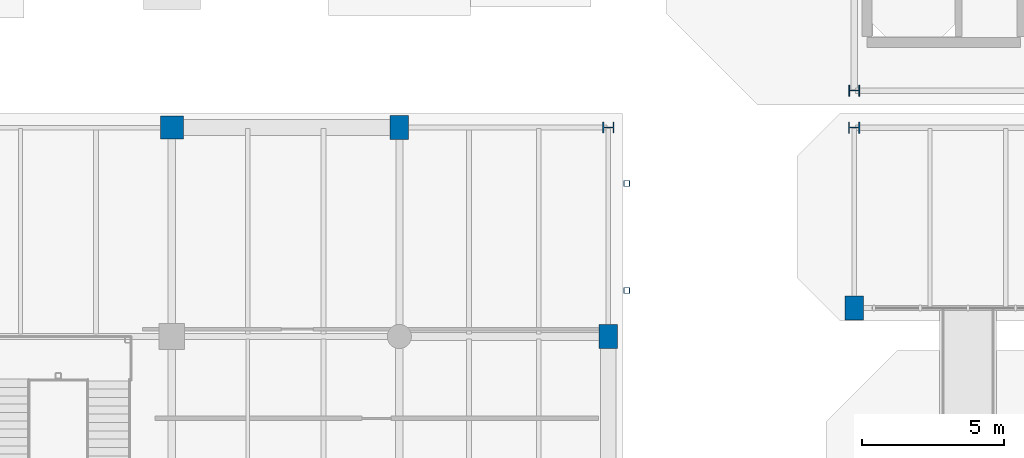
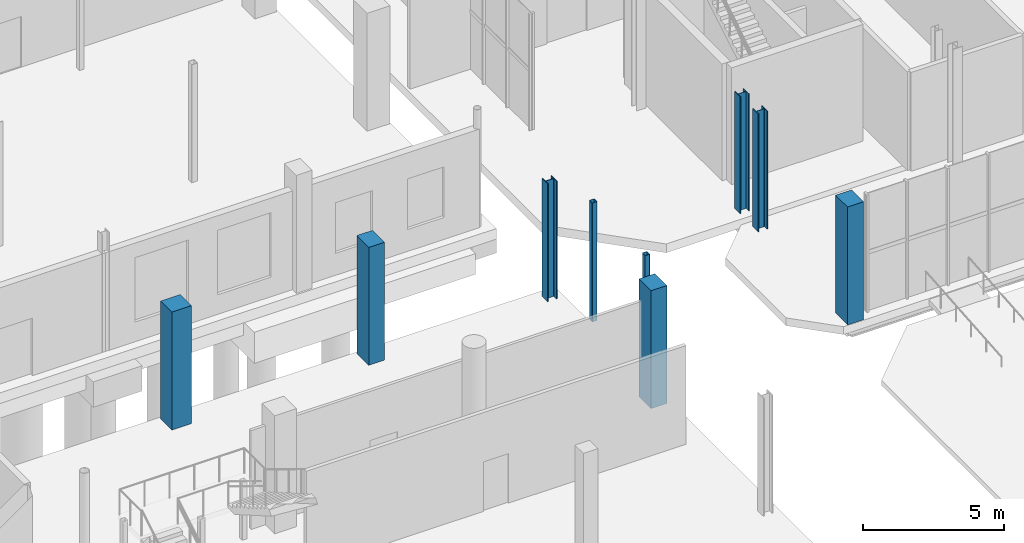
# One storey, part 8 of 87: 9 columns.
"""IFC4 building model written with IfcOpenShell, lengths in metres."""

from ifc_helpers import new_model, si_unit, direction, frame, origin, origin_2d, place, context, subcontext, project, spatial, rectangle, hollow_rectangle, i_section, extrude, material, material_profile, profile_set, type_object, element, save


model = new_model("IFC4")

# Units and contexts
model_context = context("Model", 3, precision=1e-05, world=origin(), true_north=direction((0.0, 1.0)))
body_context = subcontext(model_context, "Body", "Model", "MODEL_VIEW")
ifc_project = project(units=[si_unit("LENGTHUNIT", "METRE"), si_unit("AREAUNIT", "SQUARE_METRE"), si_unit("VOLUMEUNIT", "CUBIC_METRE"), si_unit("PLANEANGLEUNIT", "RADIAN"), si_unit("MASSUNIT", "GRAM", prefix="KILO")], contexts=[model_context])

# Site, building, storey
site_placement = place(None, origin())
site = spatial("IfcSite", under=ifc_project, at=site_placement, CompositionType="ELEMENT")
building_placement = place(site_placement, origin())
building = spatial("IfcBuilding", under=site, at=building_placement, Name="Brisemont Oceanarium", CompositionType="ELEMENT")
storey_placement = place(building_placement, origin())
storey = spatial("IfcBuildingStorey", under=building, at=storey_placement, Name="L00", CompositionType="ELEMENT", Elevation=0.0)

# Columns
ifc_material_1 = material(Name="Structural Steel ASTM A500 Gr.C", Category="steel")
ifc_material_profile_1 = material_profile(ifc_material_1, hollow_rectangle(XDim=0.202880859375, YDim=0.202880859375, WallThickness=0.0087890625, InnerFilletRadius=0.009033203125, OuterFilletRadius=0.01806640625, at=origin_2d()), Name="HSS8X8X3/8")
ifc_profile_set_1 = profile_set([ifc_material_profile_1], Name="Structural Steel ASTM A500 Gr.C")
column_type_1 = type_object("IfcColumnType", Name="COL-HSS8X8", PredefinedType="COLUMN", material=ifc_profile_set_1)
for number, where, z_axis, x_axis, name in (
    (1, (56.0, 25.6201171875, 0.0), (0.0, 0.0, 1.0), (1.0, 0.0, 0.0), "Seismic bridge pier L00"),
    (2, (56.0, 29.3798828125, 0.0), (0.0, 0.0, 1.0), (1.0, 0.0, 0.0), "Seismic bridge pier L00"),
):
    element("IfcColumn", number, at=place(storey_placement, frame(where, z_axis=z_axis, x_axis=x_axis)), inside=storey, type_object=column_type_1, Name=name, PredefinedType="COLUMN", context=body_context, shape_type="SweptSolid", body=[
        extrude(hollow_rectangle(XDim=0.202880859375, YDim=0.202880859375, WallThickness=0.0087890625, InnerFilletRadius=0.009033203125, OuterFilletRadius=0.01806640625, at=origin_2d()), origin(), (0.0, 0.0, 1.0), 5.159912109375),
    ])
ifc_material_2 = material(Name="Concrete C40/50", Category="concrete")
ifc_material_profile_2 = material_profile(ifc_material_2, rectangle(XDim=0.800048828125, YDim=0.800048828125, at=origin_2d()), Name="RC-COL-800X800")
ifc_profile_set_2 = profile_set([ifc_material_profile_2], Name="Concrete C40/50")
column_type_2 = type_object("IfcColumnType", Name="COL-RC800", PredefinedType="COLUMN", material=ifc_profile_set_2)
column_1_placement = place(storey_placement, frame((40.0, 31.35009765625, 0.0), z_axis=(0.0, 0.0, 1.0), x_axis=(0.0, 1.0, 0.0)))
element("IfcColumn", 3, at=column_1_placement, inside=storey, type_object=column_type_2, Name="V2 L00 column (4,3)", PredefinedType="COLUMN", context=body_context, shape_type="SweptSolid", body=[
    extrude(rectangle(XDim=0.800048828125, YDim=0.800048828125, at=origin_2d()), origin(), (0.0, 0.0, 1.0), 5.1201171875),
])
ifc_material_3 = material(Name="Structural Steel ASTM A992 Gr.50", Category="steel")
ifc_material_profile_3 = material_profile(ifc_material_3, i_section(OverallWidth=0.39404296875, OverallDepth=0.3759765625, WebThickness=0.017333984375, FlangeThickness=0.027587890625, FilletRadius=0.014892578125, at=origin_2d()), Name="W14X145")
ifc_profile_set_3 = profile_set([ifc_material_profile_3], Name="Structural Steel ASTM A992 Gr.50")
column_type_3 = type_object("IfcColumnType", Name="COL-W14X145", PredefinedType="COLUMN", material=ifc_profile_set_3)
column_2_placement = place(storey_placement, frame((64.0, 32.64990234375, 0.0), z_axis=(0.0, 0.0, 1.0), x_axis=(0.0, 1.0, 0.0)))
element("IfcColumn", 4, at=column_2_placement, inside=storey, type_object=column_type_3, Name="V1 L00 column (1,0)", PredefinedType="COLUMN", context=body_context, shape_type="SweptSolid", body=[
    extrude(i_section(OverallWidth=0.39404296875, OverallDepth=0.3759765625, WebThickness=0.017333984375, FlangeThickness=0.027587890625, FilletRadius=0.014892578125, at=origin_2d()), origin(), (0.0, 0.0, 1.0), 5.080078125),
])
ifc_material_4 = material(Name="Structural Steel ASTM A992 Gr.50", Category="steel")
ifc_material_profile_4 = material_profile(ifc_material_4, i_section(OverallWidth=0.39990234375, OverallDepth=0.39306640625, WebThickness=0.022705078125, FlangeThickness=0.03662109375, FilletRadius=0.014892578125, at=origin_2d()), Name="W14X193")
ifc_profile_set_4 = profile_set([ifc_material_profile_4], Name="Structural Steel ASTM A992 Gr.50")
column_type_4 = type_object("IfcColumnType", Name="COL-W14X193", PredefinedType="COLUMN", material=ifc_profile_set_4)
column_3_placement = place(storey_placement, frame((55.35009765625, 31.35009765625, 0.0), z_axis=(0.0, 0.0, 1.0), x_axis=(0.0, 1.0, 0.0)))
element("IfcColumn", 5, at=column_3_placement, inside=storey, type_object=column_type_4, Name="V2 L00 column (6,3)", PredefinedType="COLUMN", context=body_context, shape_type="SweptSolid", body=[
    extrude(i_section(OverallWidth=0.39990234375, OverallDepth=0.39306640625, WebThickness=0.022705078125, FlangeThickness=0.03662109375, FilletRadius=0.014892578125, at=origin_2d()), origin(), (0.0, 0.0, 1.0), 5.1201171875),
])
ifc_material_5 = material(Name="Structural Steel ASTM A992 Gr.50", Category="steel")
ifc_material_profile_5 = material_profile(ifc_material_5, i_section(OverallWidth=0.40087890625, OverallDepth=0.39892578125, WebThickness=0.02490234375, FlangeThickness=0.03955078125, FilletRadius=0.014892578125, at=origin_2d()), Name="W14X211")
ifc_profile_set_5 = profile_set([ifc_material_profile_5], Name="Structural Steel ASTM A992 Gr.50")
column_type_5 = type_object("IfcColumnType", Name="COL-W14X211", PredefinedType="COLUMN", material=ifc_profile_set_5)
column_4_placement = place(storey_placement, frame((64.0, 31.35009765625, 0.0), z_axis=(0.0, 0.0, 1.0), x_axis=(0.0, 1.0, 0.0)))
element("IfcColumn", 6, at=column_4_placement, inside=storey, type_object=column_type_5, Name="V1P L00 column (0,1)", PredefinedType="COLUMN", context=body_context, shape_type="SweptSolid", body=[
    extrude(i_section(OverallWidth=0.40087890625, OverallDepth=0.39892578125, WebThickness=0.02490234375, FlangeThickness=0.03955078125, FilletRadius=0.014892578125, at=origin_2d()), origin(), (0.0, 0.0, 1.0), 5.1201171875),
])
ifc_material_6 = material(Name="Precast Concrete C40/50", Category="concrete")
ifc_material_profile_6 = material_profile(ifc_material_6, rectangle(XDim=0.64990234375, YDim=0.85009765625, at=origin_2d()), Name="RC-PIL-650X850")
ifc_profile_set_6 = profile_set([ifc_material_profile_6], Name="Precast Concrete C40/50")
column_type_6 = type_object("IfcColumnType", Name="PIL-RC650X850", PredefinedType="PILASTER", material=ifc_profile_set_6)
for number, where, z_axis, x_axis, name in (
    (7, (64.0, 25.0, 0.0), (0.0, 0.0, 1.0), (1.0, 0.0, 0.0), "V1P L00 column (0,0)"),
    (8, (48.0, 31.35009765625, 0.0), (0.0, 0.0, 1.0), (1.0, 0.0, 0.0), "V2 L00 column (5,3)"),
    (9, (55.35009765625, 24.0, 0.0), (0.0, 0.0, 1.0), (1.0, 0.0, 0.0), "V2 L00 column (6,2)"),
):
    element("IfcColumn", number, at=place(storey_placement, frame(where, z_axis=z_axis, x_axis=x_axis)), inside=storey, type_object=column_type_6, Name=name, PredefinedType="PILASTER", context=body_context, shape_type="SweptSolid", body=[
        extrude(rectangle(XDim=0.64990234375, YDim=0.85009765625, at=origin_2d()), origin(), (0.0, 0.0, 1.0), 5.1201171875),
    ])

save(model, "model.ifc")
